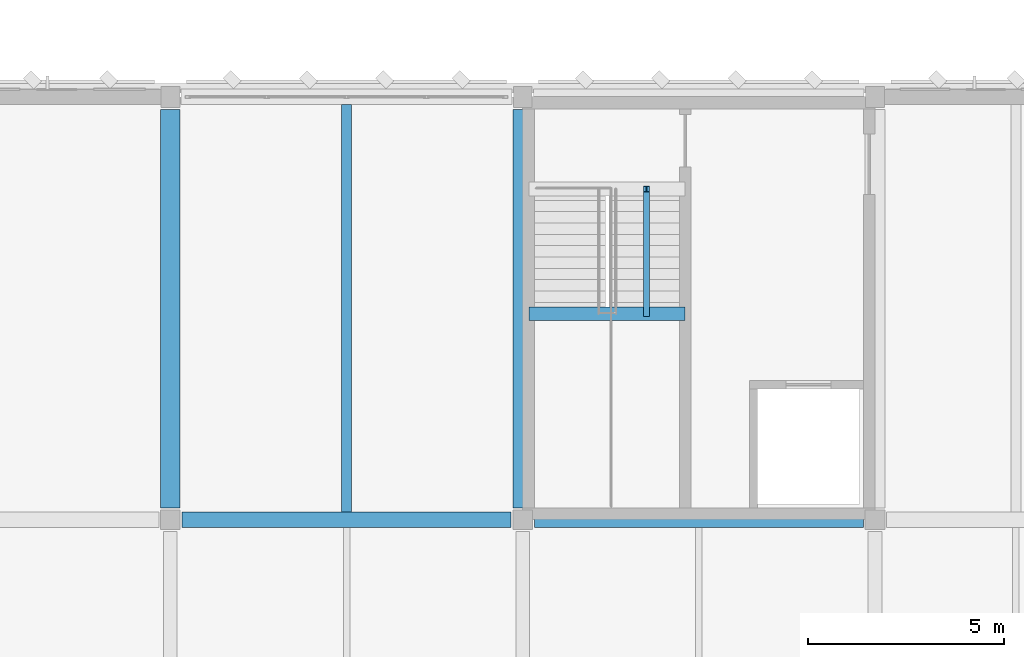
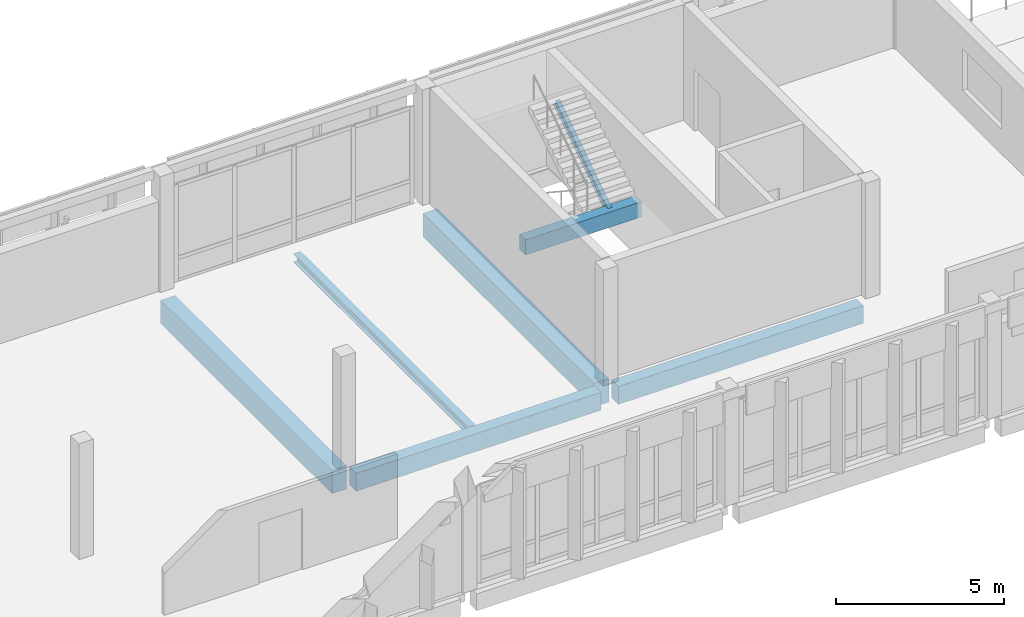
# One storey, part 42 of 72: 7 beams.
"""IFC4 building model written with IfcOpenShell, lengths in metres."""

from ifc_helpers import new_model, si_unit, direction, frame, origin, origin_2d, place, context, subcontext, project, spatial, rectangle, i_section, extrude, material, material_profile, profile_set, type_object, element, save


model = new_model("IFC4")

# Units and contexts
model_context = context("Model", 3, precision=1e-05, world=origin(), true_north=direction((0.0, 1.0)))
body_context = subcontext(model_context, "Body", "Model", "MODEL_VIEW")
ifc_project = project(units=[si_unit("LENGTHUNIT", "METRE"), si_unit("AREAUNIT", "SQUARE_METRE"), si_unit("VOLUMEUNIT", "CUBIC_METRE"), si_unit("PLANEANGLEUNIT", "RADIAN"), si_unit("MASSUNIT", "GRAM", prefix="KILO")], contexts=[model_context])

# Site, building, storey
site_placement = place(None, origin())
site = spatial("IfcSite", under=ifc_project, at=site_placement, CompositionType="ELEMENT")
building_placement = place(site_placement, origin())
building = spatial("IfcBuilding", under=site, at=building_placement, Name="Lusvemor Sports Hall", CompositionType="ELEMENT")
storey_placement = place(building_placement, frame((0.0, 0.0, 15.0)))
storey = spatial("IfcBuildingStorey", under=building, at=storey_placement, Name="L03", CompositionType="ELEMENT", Elevation=15.0)

# Beams
ifc_material_1 = material(Name="Concrete C40/50", Category="concrete")
ifc_material_profile_1 = material_profile(ifc_material_1, rectangle(XDim=0.35009765625, YDim=0.550048828125, at=origin_2d()), Name="RC350x550")
ifc_profile_set_1 = profile_set([ifc_material_profile_1], Name="Concrete C40/50")
beam_type_1 = type_object("IfcBeamType", Name="BEAM_RC_550", PredefinedType="BEAM", material=ifc_profile_set_1)
beam_1_placement = place(storey_placement, frame((102.760009765625, 109.659912109375, 1.64501953125), z_axis=(1.0, 0.0, 0.0), x_axis=(0.0, 1.0, 0.0)))
element("IfcBeam", 1, at=beam_1_placement, inside=storey, type_object=beam_type_1, Name="Stair STR-C4-L03 Mid-Landing Beam", PredefinedType="BEAM", context=body_context, shape_type="SweptSolid", body=[
    extrude(rectangle(XDim=0.35009765625, YDim=0.550048828125, at=origin_2d()), origin(), (0.0, 0.0, 1.0), 3.97998046875),
])
ifc_material_2 = material(Name="Concrete C40/50", Category="concrete")
ifc_material_profile_2 = material_profile(ifc_material_2, rectangle(XDim=0.39990234375, YDim=0.64990234375, at=origin_2d()), Name="RC400x650")
ifc_profile_set_2 = profile_set([ifc_material_profile_2], Name="Concrete C40/50")
beam_type_2 = type_object("IfcBeamType", Name="BEAM_RC_650", PredefinedType="BEAM", material=ifc_profile_set_2)
for number, where, z_axis, x_axis, name in (
    (2, (93.89599609375, 104.39990234375, -0.56494140625), (1.0, 0.0, 0.0), (0.0, 1.0, 0.0), "Beam L03 P:10-11"),
    (3, (102.89599609375, 104.39990234375, -0.56494140625), (1.0, 0.0, 0.0), (0.0, 1.0, 0.0), "Beam L03 P:11-12"),
):
    element("IfcBeam", number, at=place(storey_placement, frame(where, z_axis=z_axis, x_axis=x_axis)), inside=storey, type_object=beam_type_2, Name=name, PredefinedType="BEAM", context=body_context, shape_type="SweptSolid", body=[
        extrude(rectangle(XDim=0.39990234375, YDim=0.64990234375, at=origin_2d()), origin(), (0.0, 0.0, 1.0), 8.407958984375),
    ])
ifc_material_3 = material(Name="Concrete C40/50", Category="concrete")
ifc_material_profile_3 = material_profile(ifc_material_3, rectangle(XDim=0.5, YDim=0.85009765625, at=origin_2d()), Name="RC500x850")
ifc_profile_set_3 = profile_set([ifc_material_profile_3], Name="Concrete C40/50")
beam_type_3 = type_object("IfcBeamType", Name="GIRD_RC_850", PredefinedType="T_BEAM", material=ifc_profile_set_3)
for number, where, z_axis, x_axis, name in (
    (4, (93.60009765625, 104.696044921875, -0.6650390625), (0.0, 1.0, 0.0), (-1.0, 0.0, 0.0), "Beam L03 10:P-Q"),
    (5, (102.60009765625, 104.696044921875, -0.6650390625), (0.0, 1.0, 0.0), (-1.0, 0.0, 0.0), "Beam L03 11:P-Q"),
):
    element("IfcBeam", number, at=place(storey_placement, frame(where, z_axis=z_axis, x_axis=x_axis)), inside=storey, type_object=beam_type_3, Name=name, PredefinedType="T_BEAM", context=body_context, shape_type="SweptSolid", body=[
        extrude(rectangle(XDim=0.5, YDim=0.85009765625, at=origin_2d()), origin(), (0.0, 0.0, 1.0), 10.18798828125),
    ])
ifc_material_4 = material(Name="Steel S355", Category="steel")
ifc_material_profile_4 = material_profile(ifc_material_4, i_section(OverallWidth=0.14794921875, OverallDepth=0.26611328125, WebThickness=0.007568359375, FlangeThickness=0.012939453125, FilletRadius=0.012939453125, at=origin_2d()), Name="W250x44.8")
ifc_profile_set_4 = profile_set([ifc_material_profile_4], Name="Steel S355")
beam_type_4 = type_object("IfcBeamType", Name="JOIST_ST_250M", PredefinedType="JOIST", material=ifc_profile_set_4)
beam_2_placement = place(storey_placement, frame((105.760009765625, 109.659912109375, 1.7548828125), z_axis=(0.0, 0.835261802243, 0.549852454495), x_axis=(-1.0, 0.0, 0.0)))
element("IfcBeam", 6, at=beam_2_placement, inside=storey, type_object=beam_type_4, Name="Stair STR-C4-L03 Flight 2 Stringer Beam", PredefinedType="JOIST", context=body_context, shape_type="SweptSolid", body=[
    extrude(i_section(OverallWidth=0.14794921875, OverallDepth=0.26611328125, WebThickness=0.007568359375, FlangeThickness=0.012939453125, FilletRadius=0.012939453125, at=origin_2d()), origin(), (0.0, 0.0, 1.0), 3.8193359375),
])
ifc_material_5 = material(Name="Steel S355", Category="steel")
ifc_material_profile_5 = material_profile(ifc_material_5, i_section(OverallWidth=0.25390625, OverallDepth=0.305908203125, WebThickness=0.0087890625, FlangeThickness=0.0146484375, FilletRadius=0.014892578125, at=origin_2d()), Name="W310x79.0")
ifc_profile_set_5 = profile_set([ifc_material_profile_5], Name="Steel S355")
beam_type_5 = type_object("IfcBeamType", Name="JOIST_ST_310H", PredefinedType="JOIST", material=ifc_profile_set_5)
beam_3_placement = place(storey_placement, frame((98.10009765625, 104.595947265625, -0.39697265625), z_axis=(0.0, 1.0, 0.0), x_axis=(-1.0, 0.0, 0.0)))
element("IfcBeam", 7, at=beam_3_placement, inside=storey, type_object=beam_type_5, Name="Secondary Joist L03 10-11/P-Q #1", PredefinedType="JOIST", context=body_context, shape_type="SweptSolid", body=[
    extrude(i_section(OverallWidth=0.25390625, OverallDepth=0.305908203125, WebThickness=0.0087890625, FlangeThickness=0.0146484375, FilletRadius=0.014892578125, at=origin_2d()), origin(), (0.0, 0.0, 1.0), 10.407958984375),
])

save(model, "model.ifc")
